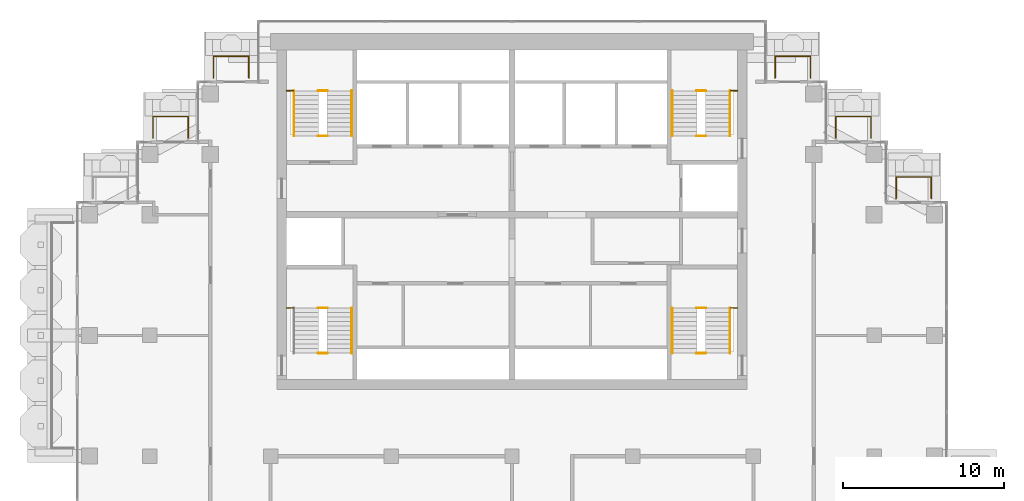
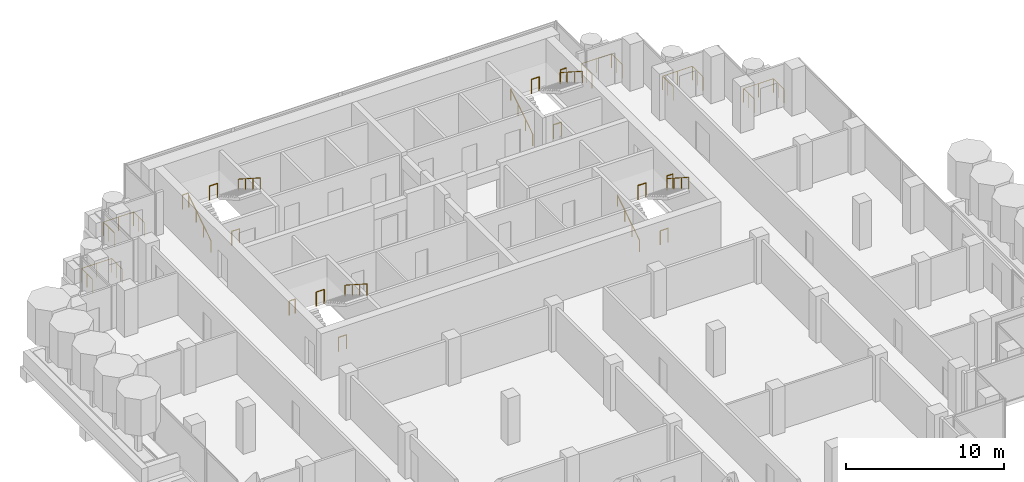
# One storey, part 16 of 17: 24 railings.
"""IFC4 building model written with IfcOpenShell, lengths in metres."""

from ifc_helpers import new_model, si_unit, direction, frame, origin, origin_2d, place, context, subcontext, project, spatial, circle, extrude, material, type_object, element, save


model = new_model("IFC4")

# Units and contexts
model_context = context("Model", 3, precision=1e-05, world=origin(), true_north=direction((0.0, 1.0)))
body_context = subcontext(model_context, "Body", "Model", "MODEL_VIEW")
ifc_project = project(units=[si_unit("LENGTHUNIT", "METRE"), si_unit("AREAUNIT", "SQUARE_METRE"), si_unit("VOLUMEUNIT", "CUBIC_METRE"), si_unit("PLANEANGLEUNIT", "RADIAN"), si_unit("MASSUNIT", "GRAM", prefix="KILO")], contexts=[model_context])

# Site, building, storey
site_placement = place(None, origin())
site = spatial("IfcSite", under=ifc_project, at=site_placement, CompositionType="ELEMENT")
building_placement = place(site_placement, origin())
building = spatial("IfcBuilding", under=site, at=building_placement, Name="Pilkhan Gate Tower", CompositionType="ELEMENT")
storey_placement = place(building_placement, frame((0.0, 0.0, 206.699951171875)))
storey = spatial("IfcBuildingStorey", under=building, at=storey_placement, Name="L53", CompositionType="ELEMENT", Elevation=206.699951171875)

# Railings
ifc_material_1 = material(Name="Pale anodised aluminium posts, laminated glass infill", Category="aluminium")
railing_type_1 = type_object("IfcRailingType", Name="Balcony guard G1", PredefinedType="BALUSTRADE", material=ifc_material_1)
for number, where, name in (
    (1, (56.449951171875, 91.0, 0.0), "Balcony guard L53 N"),
    (2, (91.35009765625, 91.0, 0.0), "Balcony guard L53 N"),
):
    element("IfcRailing", number, at=place(storey_placement, frame(where)), inside=storey, type_object=railing_type_1, Name=name, PredefinedType="BALUSTRADE", context=body_context, shape_type="SweptSolid", body=[
        extrude(circle(Radius=0.02392578125, at=origin_2d()), frame((0.0, 0.0, 1.076171875), z_axis=(0.0, 1.0, 0.0), x_axis=(-1.0, 0.0, 0.0)), (0.0, 0.0, 1.0), 1.35009765625),
        extrude(circle(Radius=0.02392578125, at=origin_2d()), frame((0.0, 1.35009765625, 1.076171875), z_axis=(1.0, 0.0, 0.0), x_axis=(0.0, 1.0, 0.0)), (0.0, 0.0, 1.0), 2.199951171875),
        extrude(circle(Radius=0.02392578125, at=origin_2d()), frame((2.199951171875, 1.35009765625, 1.076171875), z_axis=(0.0, -1.0, 0.0), x_axis=(1.0, 0.0, 0.0)), (0.0, 0.0, 1.0), 1.35009765625),
        extrude(circle(Radius=0.02099609375, at=origin_2d()), origin(), (0.0, 0.0, 1.0), 1.052001953125),
        extrude(circle(Radius=0.02099609375, at=origin_2d()), frame((0.0, 0.675048828125, 0.0)), (0.0, 0.0, 1.0), 1.052001953125),
        extrude(circle(Radius=0.02099609375, at=origin_2d()), frame((0.0, 1.35009765625, 0.0)), (0.0, 0.0, 1.0), 1.052001953125),
        extrude(circle(Radius=0.02099609375, at=origin_2d()), frame((1.10009765625, 1.35009765625, 0.0)), (0.0, 0.0, 1.0), 1.052001953125),
        extrude(circle(Radius=0.02099609375, at=origin_2d()), frame((2.199951171875, 1.35009765625, 0.0)), (0.0, 0.0, 1.0), 1.052001953125),
        extrude(circle(Radius=0.02099609375, at=origin_2d()), frame((2.199951171875, 0.675048828125, 0.0)), (0.0, 0.0, 1.0), 1.052001953125),
        extrude(circle(Radius=0.02099609375, at=origin_2d()), frame((2.199951171875, 0.0, 0.0)), (0.0, 0.0, 1.0), 1.052001953125),
    ])
for number, where, name in (
    (3, (52.699951171875, 87.27001953125, 0.0), "Balcony guard L53 N"),
    (4, (95.1201171875, 87.27001953125, 0.0), "Balcony guard L53 N"),
    (5, (98.8701171875, 83.52001953125, 0.0), "Balcony guard L53 N"),
):
    element("IfcRailing", number, at=place(storey_placement, frame(where)), inside=storey, type_object=railing_type_1, Name=name, PredefinedType="BALUSTRADE", context=body_context, shape_type="SweptSolid", body=[
        extrude(circle(Radius=0.02392578125, at=origin_2d()), frame((0.0, 0.0, 1.076171875), z_axis=(0.0, 1.0, 0.0), x_axis=(-1.0, 0.0, 0.0)), (0.0, 0.0, 1.0), 1.330078125),
        extrude(circle(Radius=0.02392578125, at=origin_2d()), frame((0.0, 1.330078125, 1.076171875), z_axis=(1.0, 0.0, 0.0), x_axis=(0.0, 1.0, 0.0)), (0.0, 0.0, 1.0), 2.179931640625),
        extrude(circle(Radius=0.02392578125, at=origin_2d()), frame((2.179931640625, 1.330078125, 1.076171875), z_axis=(0.0, -1.0, 0.0), x_axis=(1.0, 0.0, 0.0)), (0.0, 0.0, 1.0), 1.330078125),
        extrude(circle(Radius=0.02099609375, at=origin_2d()), origin(), (0.0, 0.0, 1.0), 1.052001953125),
        extrude(circle(Radius=0.02099609375, at=origin_2d()), frame((0.0, 0.6650390625, 0.0)), (0.0, 0.0, 1.0), 1.052001953125),
        extrude(circle(Radius=0.02099609375, at=origin_2d()), frame((0.0, 1.330078125, 0.0)), (0.0, 0.0, 1.0), 1.052001953125),
        extrude(circle(Radius=0.02099609375, at=origin_2d()), frame((1.08984375, 1.330078125, 0.0)), (0.0, 0.0, 1.0), 1.052001953125),
        extrude(circle(Radius=0.02099609375, at=origin_2d()), frame((2.179931640625, 1.330078125, 0.0)), (0.0, 0.0, 1.0), 1.052001953125),
        extrude(circle(Radius=0.02099609375, at=origin_2d()), frame((2.179931640625, 0.6650390625, 0.0)), (0.0, 0.0, 1.0), 1.052001953125),
        extrude(circle(Radius=0.02099609375, at=origin_2d()), frame((2.179931640625, 0.0, 0.0)), (0.0, 0.0, 1.0), 1.052001953125),
    ])
ifc_material_2 = material(Name="Black powder-coated steel tube", Category="steel")
railing_type_2 = type_object("IfcRailingType", Name="Stair handrail HR1", PredefinedType="HANDRAIL", material=ifc_material_2)
railing_1_placement = place(storey_placement, frame((84.949951171875, 73.89990234375, 0.0)))
element("IfcRailing", 6, at=railing_1_placement, inside=storey, type_object=railing_type_2, Name="Stair ST1 handrail L53", PredefinedType="HANDRAIL", context=body_context, shape_type="SweptSolid", body=[
    extrude(circle(Radius=0.02392578125, at=origin_2d()), frame((0.0, 0.0, 0.8759765625), z_axis=(0.0, 0.841176092368, 0.540761298198), x_axis=(-1.0, 0.0, 0.0)), (0.0, 0.0, 1.0), 3.32861328125),
    extrude(circle(Radius=0.02099609375, at=origin_2d()), origin(), (0.0, 0.0, 1.0), 0.851806640625),
    extrude(circle(Radius=0.02099609375, at=origin_2d()), frame((0.0, 0.933349609375, 0.60009765625)), (0.0, 0.0, 1.0), 0.851806640625),
    extrude(circle(Radius=0.02099609375, at=origin_2d()), frame((0.0, 1.86669921875, 1.199951171875)), (0.0, 0.0, 1.0), 0.851806640625),
    extrude(circle(Radius=0.02099609375, at=origin_2d()), frame((0.0, 2.800048828125, 1.800048828125)), (0.0, 0.0, 1.0), 0.851806640625),
])
for number, where, name in (
    (7, (88.550048828125, 76.699951171875, 1.800048828125), "Stair ST1 handrail L53"),
    (8, (65.050048828125, 76.699951171875, 1.800048828125), "Stair ST2 handrail L53"),
):
    element("IfcRailing", number, at=place(storey_placement, frame(where)), inside=storey, type_object=railing_type_2, Name=name, PredefinedType="HANDRAIL", context=body_context, shape_type="SweptSolid", body=[
        extrude(circle(Radius=0.02392578125, at=origin_2d()), frame((0.0, 0.0, 0.8759765625), z_axis=(0.0, -0.841176092368, 0.540761298198), x_axis=(1.0, 0.0, 0.0)), (0.0, 0.0, 1.0), 3.32861328125),
        extrude(circle(Radius=0.02099609375, at=origin_2d()), origin(), (0.0, 0.0, 1.0), 0.851806640625),
        extrude(circle(Radius=0.02099609375, at=origin_2d()), frame((0.0, -0.933349609375, 0.60009765625)), (0.0, 0.0, 1.0), 0.851806640625),
        extrude(circle(Radius=0.02099609375, at=origin_2d()), frame((0.0, -1.86669921875, 1.199951171875)), (0.0, 0.0, 1.0), 0.851806640625),
        extrude(circle(Radius=0.02099609375, at=origin_2d()), frame((0.0, -2.800048828125, 1.800048828125)), (0.0, 0.0, 1.0), 0.851806640625),
    ])
railing_2_placement = place(storey_placement, frame((61.449951171875, 87.39990234375, 0.0)))
element("IfcRailing", 9, at=railing_2_placement, inside=storey, type_object=railing_type_2, Name="Stair ST3 handrail L53", PredefinedType="HANDRAIL", context=body_context, shape_type="SweptSolid", body=[
    extrude(circle(Radius=0.02392578125, at=origin_2d()), frame((0.0, 0.0, 0.8759765625), z_axis=(0.0, 0.841176092368, 0.540761298198), x_axis=(-1.0, 0.0, 0.0)), (0.0, 0.0, 1.0), 3.32861328125),
    extrude(circle(Radius=0.02099609375, at=origin_2d()), origin(), (0.0, 0.0, 1.0), 0.851806640625),
    extrude(circle(Radius=0.02099609375, at=origin_2d()), frame((0.0, 0.933349609375, 0.60009765625)), (0.0, 0.0, 1.0), 0.851806640625),
    extrude(circle(Radius=0.02099609375, at=origin_2d()), frame((0.0, 1.86669921875, 1.199951171875)), (0.0, 0.0, 1.0), 0.851806640625),
    extrude(circle(Radius=0.02099609375, at=origin_2d()), frame((0.0, 2.800048828125, 1.800048828125)), (0.0, 0.0, 1.0), 0.851806640625),
])
railing_3_placement = place(storey_placement, frame((65.050048828125, 90.199951171875, 1.800048828125)))
element("IfcRailing", 10, at=railing_3_placement, inside=storey, type_object=railing_type_2, Name="Stair ST3 handrail L53", PredefinedType="HANDRAIL", context=body_context, shape_type="SweptSolid", body=[
    extrude(circle(Radius=0.02392578125, at=origin_2d()), frame((0.0, 0.0, 0.8759765625), z_axis=(0.0, -0.841176092368, 0.540761298198), x_axis=(1.0, 0.0, 0.0)), (0.0, 0.0, 1.0), 3.32861328125),
    extrude(circle(Radius=0.02099609375, at=origin_2d()), origin(), (0.0, 0.0, 1.0), 0.851806640625),
    extrude(circle(Radius=0.02099609375, at=origin_2d()), frame((0.0, -0.933349609375, 0.60009765625)), (0.0, 0.0, 1.0), 0.851806640625),
    extrude(circle(Radius=0.02099609375, at=origin_2d()), frame((0.0, -1.86669921875, 1.199951171875)), (0.0, 0.0, 1.0), 0.851806640625),
    extrude(circle(Radius=0.02099609375, at=origin_2d()), frame((0.0, -2.800048828125, 1.800048828125)), (0.0, 0.0, 1.0), 0.851806640625),
])
railing_4_placement = place(storey_placement, frame((84.949951171875, 87.39990234375, 0.0)))
element("IfcRailing", 11, at=railing_4_placement, inside=storey, type_object=railing_type_2, Name="Stair ST4 handrail L53", PredefinedType="HANDRAIL", context=body_context, shape_type="SweptSolid", body=[
    extrude(circle(Radius=0.02392578125, at=origin_2d()), frame((0.0, 0.0, 0.8759765625), z_axis=(0.0, 0.841176092368, 0.540761298198), x_axis=(-1.0, 0.0, 0.0)), (0.0, 0.0, 1.0), 3.32861328125),
    extrude(circle(Radius=0.02099609375, at=origin_2d()), origin(), (0.0, 0.0, 1.0), 0.851806640625),
    extrude(circle(Radius=0.02099609375, at=origin_2d()), frame((0.0, 0.933349609375, 0.60009765625)), (0.0, 0.0, 1.0), 0.851806640625),
    extrude(circle(Radius=0.02099609375, at=origin_2d()), frame((0.0, 1.86669921875, 1.199951171875)), (0.0, 0.0, 1.0), 0.851806640625),
    extrude(circle(Radius=0.02099609375, at=origin_2d()), frame((0.0, 2.800048828125, 1.800048828125)), (0.0, 0.0, 1.0), 0.851806640625),
])
railing_5_placement = place(storey_placement, frame((88.550048828125, 90.199951171875, 1.800048828125)))
element("IfcRailing", 12, at=railing_5_placement, inside=storey, type_object=railing_type_2, Name="Stair ST4 handrail L53", PredefinedType="HANDRAIL", context=body_context, shape_type="SweptSolid", body=[
    extrude(circle(Radius=0.02392578125, at=origin_2d()), frame((0.0, 0.0, 0.8759765625), z_axis=(0.0, -0.841176092368, 0.540761298198), x_axis=(1.0, 0.0, 0.0)), (0.0, 0.0, 1.0), 3.32861328125),
    extrude(circle(Radius=0.02099609375, at=origin_2d()), origin(), (0.0, 0.0, 1.0), 0.851806640625),
    extrude(circle(Radius=0.02099609375, at=origin_2d()), frame((0.0, -0.933349609375, 0.60009765625)), (0.0, 0.0, 1.0), 0.851806640625),
    extrude(circle(Radius=0.02099609375, at=origin_2d()), frame((0.0, -1.86669921875, 1.199951171875)), (0.0, 0.0, 1.0), 0.851806640625),
    extrude(circle(Radius=0.02099609375, at=origin_2d()), frame((0.0, -2.800048828125, 1.800048828125)), (0.0, 0.0, 1.0), 0.851806640625),
])
ifc_material_3 = material(Name="Black powder-coated steel balusters", Category="steel")
railing_type_3 = type_object("IfcRailingType", Name="Stair well guard G3", PredefinedType="GUARDRAIL", material=ifc_material_3)
railing_6_placement = place(storey_placement, frame((88.580078125, 76.699951171875, 1.800048828125)))
element("IfcRailing", 13, at=railing_6_placement, inside=storey, type_object=railing_type_3, Name="Stair ST1 well guard L53", PredefinedType="GUARDRAIL", context=body_context, shape_type="SweptSolid", body=[
    extrude(circle(Radius=0.02392578125, at=origin_2d()), frame((0.0, 0.0, 1.076171875), z_axis=(1.0, 0.0, 0.0), x_axis=(0.0, 1.0, 0.0)), (0.0, 0.0, 1.0), 0.43994140625),
    extrude(circle(Radius=0.02099609375, at=origin_2d()), origin(), (0.0, 0.0, 1.0), 1.052001953125),
    extrude(circle(Radius=0.02099609375, at=origin_2d()), frame((0.43994140625, 0.0, 0.0)), (0.0, 0.0, 1.0), 1.052001953125),
])
for number, where, name in (
    (14, (86.4599609375, 73.89990234375, 0.0), "Stair ST1 well guard L53"),
    (15, (86.4599609375, 76.699951171875, 1.800048828125), "Stair ST1 well guard L53"),
):
    element("IfcRailing", number, at=place(storey_placement, frame(where)), inside=storey, type_object=railing_type_3, Name=name, PredefinedType="GUARDRAIL", context=body_context, shape_type="SweptSolid", body=[
        extrude(circle(Radius=0.02392578125, at=origin_2d()), frame((0.0, 0.0, 1.076171875), z_axis=(1.0, 0.0, 0.0), x_axis=(0.0, 1.0, 0.0)), (0.0, 0.0, 1.0), 0.580078125),
        extrude(circle(Radius=0.02099609375, at=origin_2d()), origin(), (0.0, 0.0, 1.0), 1.052001953125),
        extrude(circle(Radius=0.02099609375, at=origin_2d()), frame((0.580078125, 0.0, 0.0)), (0.0, 0.0, 1.0), 1.052001953125),
    ])
railing_7_placement = place(storey_placement, frame((60.97998046875, 76.699951171875, 1.800048828125)))
element("IfcRailing", 16, at=railing_7_placement, inside=storey, type_object=railing_type_3, Name="Stair ST2 well guard L53", PredefinedType="GUARDRAIL", context=body_context, shape_type="SweptSolid", body=[
    extrude(circle(Radius=0.02392578125, at=origin_2d()), frame((0.0, 0.0, 1.076171875), z_axis=(1.0, 0.0, 0.0), x_axis=(0.0, 1.0, 0.0)), (0.0, 0.0, 1.0), 0.43994140625),
    extrude(circle(Radius=0.02099609375, at=origin_2d()), origin(), (0.0, 0.0, 1.0), 1.052001953125),
    extrude(circle(Radius=0.02099609375, at=origin_2d()), frame((0.43994140625, 0.0, 0.0)), (0.0, 0.0, 1.0), 1.052001953125),
])
for number, where, name in (
    (17, (62.9599609375, 73.89990234375, 0.0), "Stair ST2 well guard L53"),
    (18, (62.9599609375, 76.699951171875, 1.800048828125), "Stair ST2 well guard L53"),
):
    element("IfcRailing", number, at=place(storey_placement, frame(where)), inside=storey, type_object=railing_type_3, Name=name, PredefinedType="GUARDRAIL", context=body_context, shape_type="SweptSolid", body=[
        extrude(circle(Radius=0.02392578125, at=origin_2d()), frame((0.0, 0.0, 1.076171875), z_axis=(1.0, 0.0, 0.0), x_axis=(0.0, 1.0, 0.0)), (0.0, 0.0, 1.0), 0.580078125),
        extrude(circle(Radius=0.02099609375, at=origin_2d()), origin(), (0.0, 0.0, 1.0), 1.052001953125),
        extrude(circle(Radius=0.02099609375, at=origin_2d()), frame((0.580078125, 0.0, 0.0)), (0.0, 0.0, 1.0), 1.052001953125),
    ])
railing_8_placement = place(storey_placement, frame((60.97998046875, 90.199951171875, 1.800048828125)))
element("IfcRailing", 19, at=railing_8_placement, inside=storey, type_object=railing_type_3, Name="Stair ST3 well guard L53", PredefinedType="GUARDRAIL", context=body_context, shape_type="SweptSolid", body=[
    extrude(circle(Radius=0.02392578125, at=origin_2d()), frame((0.0, 0.0, 1.076171875), z_axis=(1.0, 0.0, 0.0), x_axis=(0.0, 1.0, 0.0)), (0.0, 0.0, 1.0), 0.43994140625),
    extrude(circle(Radius=0.02099609375, at=origin_2d()), origin(), (0.0, 0.0, 1.0), 1.052001953125),
    extrude(circle(Radius=0.02099609375, at=origin_2d()), frame((0.43994140625, 0.0, 0.0)), (0.0, 0.0, 1.0), 1.052001953125),
])
for number, where, name in (
    (20, (62.9599609375, 87.39990234375, 0.0), "Stair ST3 well guard L53"),
    (21, (62.9599609375, 90.199951171875, 1.800048828125), "Stair ST3 well guard L53"),
):
    element("IfcRailing", number, at=place(storey_placement, frame(where)), inside=storey, type_object=railing_type_3, Name=name, PredefinedType="GUARDRAIL", context=body_context, shape_type="SweptSolid", body=[
        extrude(circle(Radius=0.02392578125, at=origin_2d()), frame((0.0, 0.0, 1.076171875), z_axis=(1.0, 0.0, 0.0), x_axis=(0.0, 1.0, 0.0)), (0.0, 0.0, 1.0), 0.580078125),
        extrude(circle(Radius=0.02099609375, at=origin_2d()), origin(), (0.0, 0.0, 1.0), 1.052001953125),
        extrude(circle(Radius=0.02099609375, at=origin_2d()), frame((0.580078125, 0.0, 0.0)), (0.0, 0.0, 1.0), 1.052001953125),
    ])
railing_9_placement = place(storey_placement, frame((88.580078125, 90.199951171875, 1.800048828125)))
element("IfcRailing", 22, at=railing_9_placement, inside=storey, type_object=railing_type_3, Name="Stair ST4 well guard L53", PredefinedType="GUARDRAIL", context=body_context, shape_type="SweptSolid", body=[
    extrude(circle(Radius=0.02392578125, at=origin_2d()), frame((0.0, 0.0, 1.076171875), z_axis=(1.0, 0.0, 0.0), x_axis=(0.0, 1.0, 0.0)), (0.0, 0.0, 1.0), 0.43994140625),
    extrude(circle(Radius=0.02099609375, at=origin_2d()), origin(), (0.0, 0.0, 1.0), 1.052001953125),
    extrude(circle(Radius=0.02099609375, at=origin_2d()), frame((0.43994140625, 0.0, 0.0)), (0.0, 0.0, 1.0), 1.052001953125),
])
for number, where, name in (
    (23, (86.4599609375, 87.39990234375, 0.0), "Stair ST4 well guard L53"),
    (24, (86.4599609375, 90.199951171875, 1.800048828125), "Stair ST4 well guard L53"),
):
    element("IfcRailing", number, at=place(storey_placement, frame(where)), inside=storey, type_object=railing_type_3, Name=name, PredefinedType="GUARDRAIL", context=body_context, shape_type="SweptSolid", body=[
        extrude(circle(Radius=0.02392578125, at=origin_2d()), frame((0.0, 0.0, 1.076171875), z_axis=(1.0, 0.0, 0.0), x_axis=(0.0, 1.0, 0.0)), (0.0, 0.0, 1.0), 0.580078125),
        extrude(circle(Radius=0.02099609375, at=origin_2d()), origin(), (0.0, 0.0, 1.0), 1.052001953125),
        extrude(circle(Radius=0.02099609375, at=origin_2d()), frame((0.580078125, 0.0, 0.0)), (0.0, 0.0, 1.0), 1.052001953125),
    ])

save(model, "model.ifc")
